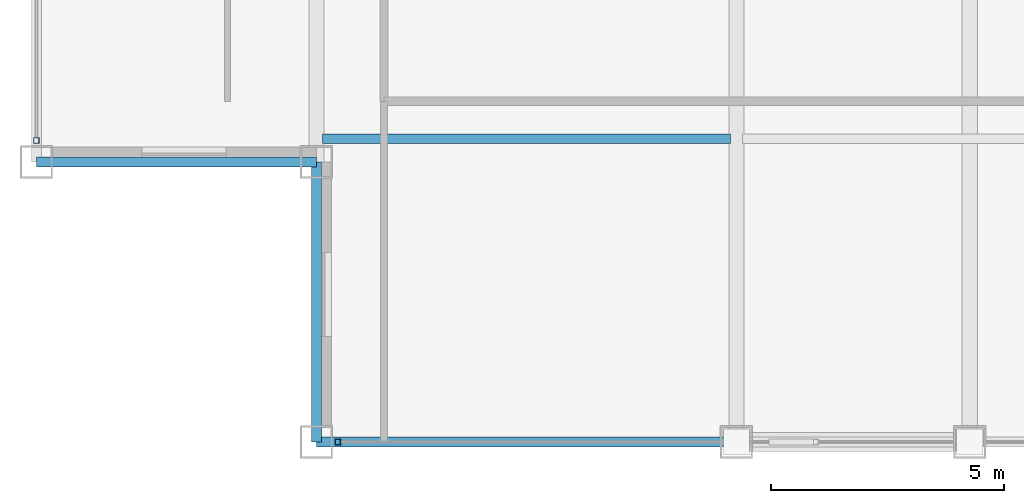
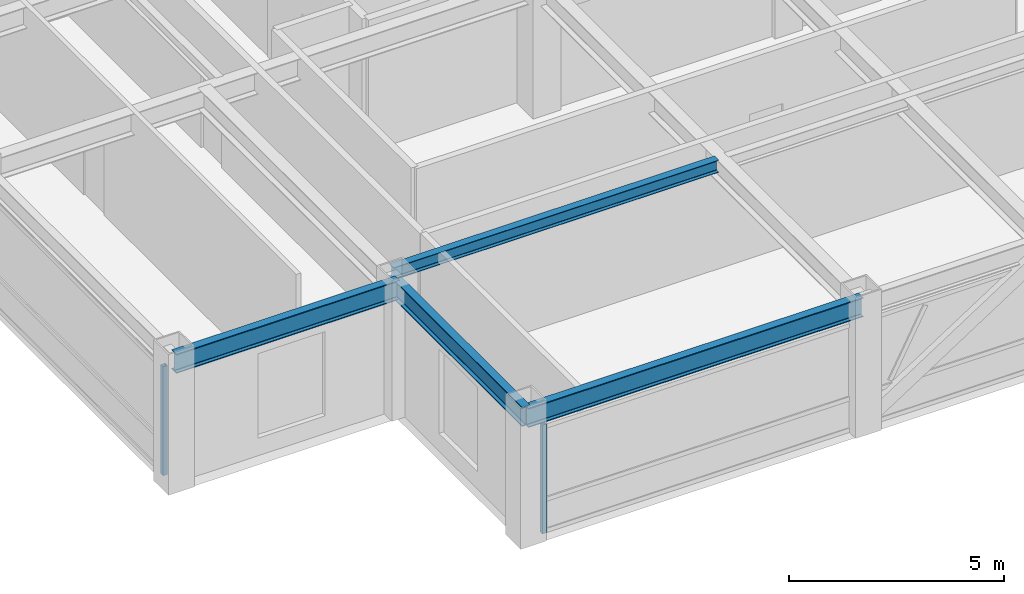
# One storey, part 2 of 29: 4 beams, 2 members, 2 elements without a shape of their own.
"""IFC4 building model written with IfcOpenShell, lengths in metres."""

from ifc_helpers import new_model, si_unit, direction, frame, origin, origin_2d, place, context, subcontext, project, spatial, hollow_rectangle, i_section, extrude, source, transform, mapped, material, material_profile, profile_set, type_object, element, aggregate, save


model = new_model("IFC4")

# Units and contexts
model_context = context("Model", 3, precision=1e-05, world=origin(), true_north=direction((0.0, 1.0)))
body_context = subcontext(model_context, "Body", "Model", "MODEL_VIEW")
ifc_project = project(units=[si_unit("LENGTHUNIT", "METRE"), si_unit("AREAUNIT", "SQUARE_METRE"), si_unit("VOLUMEUNIT", "CUBIC_METRE"), si_unit("PLANEANGLEUNIT", "RADIAN"), si_unit("MASSUNIT", "GRAM", prefix="KILO")], contexts=[model_context])

# Site, building, storey
site_placement = place(None, origin())
site = spatial("IfcSite", under=ifc_project, at=site_placement, CompositionType="ELEMENT")
building_placement = place(site_placement, origin())
building = spatial("IfcBuilding", under=site, at=building_placement, Name="Khorayat Bourse Tower", CompositionType="ELEMENT")
storey_placement = place(building_placement, frame((0.0, 0.0, 358.300048828125)))
storey = spatial("IfcBuildingStorey", under=building, at=storey_placement, Name="L85", CompositionType="ELEMENT", Elevation=358.300048828125)

# Beams
ifc_material_1 = material(Name="Steel ASTM A992 Grade 50", Category="steel")
ifc_material_profile_1 = material_profile(ifc_material_1, i_section(OverallWidth=0.214111328125, OverallDepth=0.549072265625, WebThickness=0.0146484375, FlangeThickness=0.023681640625, FilletRadius=0.013916015625, at=origin_2d()), Name="W530X138")
ifc_profile_set_1 = profile_set([ifc_material_profile_1], Name="Steel ASTM A992 Grade 50")
beam_type_1 = type_object("IfcBeamType", Name="BM-SPAN-530", PredefinedType="SPANDREL", material=ifc_profile_set_1)
shared_shape_1 = source(origin(), body_context, "Body", "SweptSolid", [
    extrude(i_section(OverallWidth=0.214111328125, OverallDepth=0.549072265625, WebThickness=0.0146484375, FlangeThickness=0.023681640625, FilletRadius=0.013916015625, at=origin_2d()), origin(), (0.0, 0.0, 1.0), 9.0),
])
beam_1_placement = place(storey_placement, frame((-20.0, -26.0, 3.46533203125), z_axis=(1.0, 0.0, 0.0), x_axis=(0.0, 1.0, 0.0)))
element("IfcBeam", 1, at=beam_1_placement, inside=storey, type_object=beam_type_1, Name="L85 BM-SPAN-530 BM-L85-SPN-024", PredefinedType="SPANDREL", context=body_context, shape_type="MappedRepresentation", body=[
    mapped(shared_shape_1, transform((0.0, 0.0, 0.0), scale=1.0)),
])
shared_shape_2 = source(origin(), body_context, "Body", "SweptSolid", [
    extrude(i_section(OverallWidth=0.214111328125, OverallDepth=0.549072265625, WebThickness=0.0146484375, FlangeThickness=0.023681640625, FilletRadius=0.013916015625, at=origin_2d()), origin(), (0.0, 0.0, 1.0), 6.0),
])
for number, where, z_axis, x_axis, name in (
    (2, (-26.0, -20.0, 3.46533203125), (1.0, 0.0, 0.0), (0.0, 1.0, 0.0), "L85 BM-SPAN-530 BM-L85-SPN-054"),
    (3, (-20.0, -26.0, 3.46533203125), (0.0, 1.0, 0.0), (-1.0, 0.0, 0.0), "L85 BM-SPAN-530 BM-L85-SPN-055"),
):
    element("IfcBeam", number, at=place(storey_placement, frame(where, z_axis=z_axis, x_axis=x_axis)), inside=storey, type_object=beam_type_1, Name=name, PredefinedType="SPANDREL", context=body_context, shape_type="MappedRepresentation", body=[
        mapped(shared_shape_2, transform((0.0, 0.0, 0.0), scale=1.0)),
    ])
ifc_material_profile_2 = material_profile(ifc_material_1, i_section(OverallWidth=0.202880859375, OverallDepth=0.346923828125, WebThickness=0.0078125, FlangeThickness=0.013427734375, FilletRadius=0.010009765625, at=origin_2d()), Name="W360X64")
ifc_profile_set_2 = profile_set([ifc_material_profile_2], Name="Steel ASTM A992 Grade 50")
beam_type_2 = type_object("IfcBeamType", Name="BM-JOIST-360", PredefinedType="JOIST", material=ifc_profile_set_2)
shared_shape_3 = source(origin(), body_context, "Body", "SweptSolid", [
    extrude(i_section(OverallWidth=0.202880859375, OverallDepth=0.346923828125, WebThickness=0.0078125, FlangeThickness=0.013427734375, FilletRadius=0.010009765625, at=origin_2d()), origin(), (0.0, 0.0, 1.0), 8.740234375),
])
beam_2_placement = place(storey_placement, frame((-19.8701171875, -19.5, 3.56640625), z_axis=(1.0, 0.0, 0.0), x_axis=(0.0, 1.0, 0.0)))
element("IfcBeam", 4, at=beam_2_placement, inside=storey, type_object=beam_type_2, Name="L85 BM-JOIST-360 BM-L85-JSTX-080", PredefinedType="JOIST", context=body_context, shape_type="MappedRepresentation", body=[
    mapped(shared_shape_3, transform((0.0, 0.0, 0.0), scale=1.0)),
])

# Curtain wall, member
ifc_material_2 = material(Name="Aluminium EN AW-6063 T6", Category="aluminium")
curtain_wall_type = type_object("IfcCurtainWallType", Name="CW-SYS-04", PredefinedType="NOTDEFINED", material=ifc_material_2)
curtain_wall_1_placement = place(storey_placement, origin())
curtain_wall_1 = element("IfcCurtainWall", 5, at=curtain_wall_1_placement, inside=storey, type_object=curtain_wall_type, Name="L85 Curtain Wall CW-L85-S1", PredefinedType="NOTDEFINED")
ifc_material_profile_3 = material_profile(ifc_material_2, hollow_rectangle(XDim=0.1201171875, YDim=0.1201171875, WallThickness=0.0048828125, at=origin_2d()), Name="ALU 120x120x5")
ifc_profile_set_3 = profile_set([ifc_material_profile_3], Name="Aluminium EN AW-6063 T6")
member_type = type_object("IfcMemberType", Name="CWM-VERT-120", PredefinedType="MULLION", material=ifc_profile_set_3)
shared_shape_4 = source(origin(), body_context, "Body", "SweptSolid", [
    extrude(hollow_rectangle(XDim=0.1201171875, YDim=0.1201171875, WallThickness=0.0048828125, at=origin_2d()), origin(), (0.0, 0.0, 1.0), 3.08984375),
])
member_1_placement = place(storey_placement, frame((-19.5400390625, -26.0, 0.0), z_axis=(0.0, 0.0, 1.0), x_axis=(0.0, 1.0, 0.0)))
member_1 = element("IfcMember", 6, at=member_1_placement, type_object=member_type, Name="CW-L85-S1 Vertical Mullion 1", PredefinedType="MULLION", context=body_context, shape_type="MappedRepresentation", body=[
    mapped(shared_shape_4, transform((0.0, 0.0, 0.0), scale=1.0)),
])
aggregate(curtain_wall_1, [member_1])

curtain_wall_2_placement = place(storey_placement, origin())
curtain_wall_2 = element("IfcCurtainWall", 7, at=curtain_wall_2_placement, inside=storey, type_object=curtain_wall_type, Name="L85 Curtain Wall CW-L85-W1", PredefinedType="NOTDEFINED")
member_2_placement = place(storey_placement, frame((-26.0, -19.5400390625, 0.0), z_axis=(0.0, 0.0, 1.0), x_axis=(-1.0, 0.0, 0.0)))
member_2 = element("IfcMember", 8, at=member_2_placement, type_object=member_type, Name="CW-L85-W1 Vertical Mullion 1", PredefinedType="MULLION", context=body_context, shape_type="MappedRepresentation", body=[
    mapped(shared_shape_4, transform((0.0, 0.0, 0.0), scale=1.0)),
])
aggregate(curtain_wall_2, [member_2])

save(model, "model.ifc")
